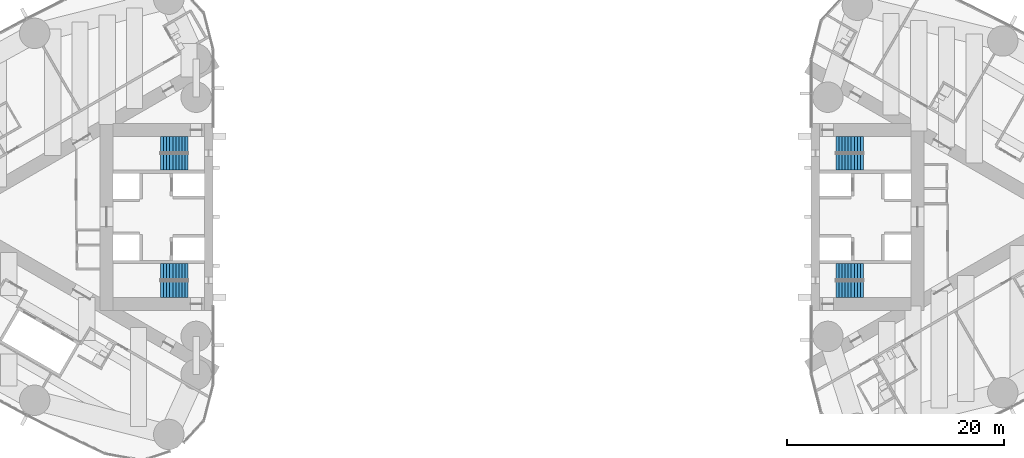
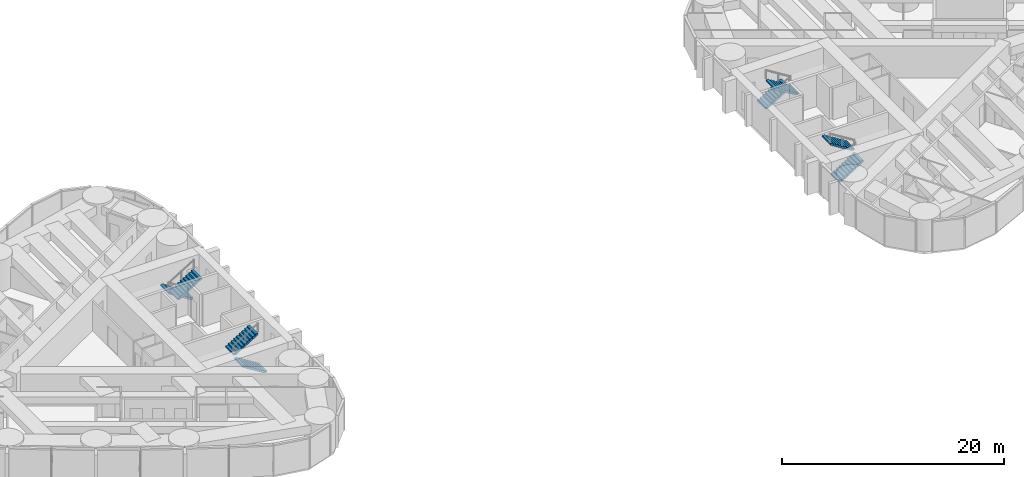
# One storey, part 17 of 19: 8 stair flights, 4 elements without a shape of their own.
"""IFC4 building model written with IfcOpenShell, lengths in metres."""

import ifcopenshell
import ifcopenshell.guid

model = None  # the IFC model being written
_history = None  # IfcOwnerHistory: only IFC2X3 demands one
_inside = {}  # id of a spatial element -> (the spatial element, [elements in it])
_under = {}  # id of a project, library or spatial element -> (it, [spatial elements below it])
_declared = {}  # id of a project -> (the project, [libraries it declares])
_typed = {}  # id of a type object -> (the type object, [elements of that type])
_made_of = {}  # id of a material, layer set ... -> (it, [elements and type objects made of it])


def new_model(schema):
    """Start an empty IFC model of exactly this schema.

    Asked for "IFC4X3", IfcOpenShell would pick the latest addendum, in which some entities
    have other attributes; the version numbers below select the first issue.
    IFC2X3 requires an IfcOwnerHistory on every rooted entity: one is made here for all.
    """
    global model, _history
    if schema == "IFC4X3":
        model = ifcopenshell.file(schema_version=(4, 3, 0, 0))
    else:
        model = ifcopenshell.file(schema=schema)
    _inside.clear()
    _under.clear()
    _declared.clear()
    _typed.clear()
    _made_of.clear()
    _history = None
    if model.schema == "IFC2X3":
        org = make("IfcOrganization", Name="unknown")
        user = make(
            "IfcPersonAndOrganization",
            ThePerson=make("IfcPerson", FamilyName="unknown"),
            TheOrganization=org,
        )
        app = make(
            "IfcApplication",
            ApplicationDeveloper=org,
            Version="unknown",
            ApplicationFullName="unknown",
            ApplicationIdentifier="unknown",
        )
        _history = make(
            "IfcOwnerHistory",
            OwningUser=user,
            OwningApplication=app,
            ChangeAction="ADDED",
            CreationDate=0,
        )
    return model


def make(cls, **values):
    """One entity of the class cls with the attributes given. An attribute that is None is left unset."""
    return model.create_entity(
        cls, **{name: value for name, value in values.items() if value is not None}
    )


def rooted(cls, **values):
    """An entity with a GlobalId (a new one), such as an element, a storey or a relation."""
    return make(cls, GlobalId=ifcopenshell.guid.new(), OwnerHistory=_history, **values)


def si_unit(unit_type, name, prefix=None):
    """IfcSIUnit, for example si_unit("LENGTHUNIT", "METRE", prefix="MILLI")."""
    return make("IfcSIUnit", UnitType=unit_type, Prefix=prefix, Name=name)


def assignment(units):
    """IfcUnitAssignment: the units of a project."""
    return None if units is None else make("IfcUnitAssignment", Units=units)


def point(xyz):
    """IfcCartesianPoint."""
    return None if xyz is None else make("IfcCartesianPoint", Coordinates=xyz)


def direction(xyz):
    """IfcDirection."""
    return None if xyz is None else make("IfcDirection", DirectionRatios=xyz)


def frame(location, z_axis=None, x_axis=None):
    """IfcAxis2Placement3D, a coordinate frame: its origin and axes. An axis left out is left unset."""
    return make(
        "IfcAxis2Placement3D",
        Location=point(location),
        Axis=direction(z_axis),
        RefDirection=direction(x_axis),
    )


def origin():
    """The frame at (0, 0, 0) with its axes left unset."""
    return frame((0.0, 0.0, 0.0))


def place(relative_to, where):
    """IfcLocalPlacement: puts the frame where relative to a parent placement (None: the world)."""
    return make(
        "IfcLocalPlacement", PlacementRelTo=relative_to, RelativePlacement=where
    )


def context(
    kind, dimensions, precision=None, world=None, true_north=None, identifier=None
):
    """IfcGeometricRepresentationContext, for example the 3D "Model" context."""
    return make(
        "IfcGeometricRepresentationContext",
        ContextIdentifier=identifier,
        ContextType=kind,
        CoordinateSpaceDimension=dimensions,
        Precision=precision,
        WorldCoordinateSystem=world,
        TrueNorth=true_north,
    )


def subcontext(parent, identifier, kind, view, scale=None):
    """IfcGeometricRepresentationSubContext, for example "Body" below "Model"."""
    return make(
        "IfcGeometricRepresentationSubContext",
        ContextIdentifier=identifier,
        ContextType=kind,
        ParentContext=parent,
        TargetScale=scale,
        TargetView=view,
    )


def project(units=None, contexts=None):
    """IfcProject with its units and contexts."""
    return rooted(
        "IfcProject",
        Name="project",
        RepresentationContexts=contexts,
        UnitsInContext=assignment(units),
    )


def spatial(cls, under=None, at=None, **own):
    """A site, building, storey or space (cls), placed at a placement, below another one or the project."""
    s = rooted(cls, ObjectPlacement=at, **own)
    if under is not None:
        _under.setdefault(under.id(), (under, []))[1].append(s)
    return s


def polyline(points):
    """IfcPolyline through the points."""
    return make("IfcPolyline", Points=[point(p) for p in points])


def outline(outer, holes=None, kind="AREA"):
    """IfcArbitraryClosedProfileDef: a profile drawn as a closed curve; with holes, ...WithVoids."""
    if holes is None:
        return make("IfcArbitraryClosedProfileDef", ProfileType=kind, OuterCurve=outer)
    return make(
        "IfcArbitraryProfileDefWithVoids",
        ProfileType=kind,
        OuterCurve=outer,
        InnerCurves=holes,
    )


def extrude(swept, where, along, depth):
    """IfcExtrudedAreaSolid: the profile swept, set in the frame where, extruded along a direction by depth."""
    return make(
        "IfcExtrudedAreaSolid",
        SweptArea=swept,
        Position=where,
        ExtrudedDirection=direction(along),
        Depth=depth,
    )


def shape(context_of_items, identifier, shape_type, items):
    """IfcShapeRepresentation: the items that make up one representation, for example the "Body"."""
    return make(
        "IfcShapeRepresentation",
        ContextOfItems=context_of_items,
        RepresentationIdentifier=identifier,
        RepresentationType=shape_type,
        Items=items,
    )


def material(Name=None, Category=None):
    """IfcMaterial."""
    return make("IfcMaterial", Name=Name, Category=Category)


def made_of(thing, what):
    """Note that an element or type object is made of a material, layer set ...; save() writes the relation."""
    if what is not None:
        _made_of.setdefault(what.id(), (what, []))[1].append(thing)
    return thing


def type_object(cls, material=None, **own):
    """A type object (cls), such as IfcWallType, which elements share."""
    return made_of(rooted(cls, **own), material)


def element(
    cls,
    number,
    at=None,
    inside=None,
    cuts=None,
    type_object=None,
    material=None,
    context=None,
    identifier="Body",
    shape_type=None,
    held_by="IfcProductDefinitionShape",
    body=None,
    shapes=None,
    **own,
):
    """One element of the class cls, such as IfcWall. Its Tag is "e" and its number.

    at: its placement. inside: the storey or other place that contains it. cuts: it is an
    opening in that element (IfcRelVoidsElement). A single representation is given by context,
    identifier, shape_type and body (its items); several are given by shapes. held_by: the class
    of the entity that holds the representations. save() writes the other relations.
    """
    e = rooted(cls, Tag="e%d" % number, ObjectPlacement=at, **own)
    if body is not None:
        shapes = [shape(context, identifier, shape_type, body)]
    if shapes is not None:
        e.Representation = make(held_by, Representations=shapes)
    if inside is not None:
        _inside.setdefault(inside.id(), (inside, []))[1].append(e)
    if cuts is not None:
        rooted(
            "IfcRelVoidsElement", RelatingBuildingElement=cuts, RelatedOpeningElement=e
        )
    if type_object is not None:
        _typed.setdefault(type_object.id(), (type_object, []))[1].append(e)
    return made_of(e, material)


def aggregate(whole, parts):
    """IfcRelAggregates: a whole, such as a stair, and the parts it consists of."""
    return rooted("IfcRelAggregates", RelatingObject=whole, RelatedObjects=parts)


def save(model, path):
    """Write the relations noted so far, then the file.

    IfcRelAggregates (storeys below a building ...), IfcRelContainedInSpatialStructure (elements
    in a storey), IfcRelDefinesByType, IfcRelAssociatesMaterial and IfcRelDeclares: one each for
    every whole, place, type object, material and project.
    """
    for whole, parts in _under.values():
        aggregate(whole, parts)
    for where, things in _inside.values():
        rooted(
            "IfcRelContainedInSpatialStructure",
            RelatedElements=things,
            RelatingStructure=where,
        )
    for kind, things in _typed.values():
        rooted("IfcRelDefinesByType", RelatedObjects=things, RelatingType=kind)
    for what, things in _made_of.values():
        rooted("IfcRelAssociatesMaterial", RelatedObjects=things, RelatingMaterial=what)
    for by, libraries in _declared.values():
        rooted("IfcRelDeclares", RelatingContext=by, RelatedDefinitions=libraries)
    model.write(path)


model = new_model("IFC4")

# Units and contexts
model_context = context("Model", 3, precision=1e-05, world=origin(), true_north=direction((0.0, 1.0)))
body_context = subcontext(model_context, "Body", "Model", "MODEL_VIEW")
ifc_project = project(units=[si_unit("LENGTHUNIT", "METRE"), si_unit("AREAUNIT", "SQUARE_METRE"), si_unit("VOLUMEUNIT", "CUBIC_METRE"), si_unit("PLANEANGLEUNIT", "RADIAN"), si_unit("MASSUNIT", "GRAM", prefix="KILO")], contexts=[model_context])

# Site, building, storey
site_placement = place(None, origin())
site = spatial("IfcSite", under=ifc_project, at=site_placement, CompositionType="ELEMENT")
building_placement = place(site_placement, origin())
building = spatial("IfcBuilding", under=site, at=building_placement, Name="Lancet Gate Hotel", CompositionType="ELEMENT")
storey_placement = place(building_placement, frame((0.0, 0.0, 170.300048828125)))
storey = spatial("IfcBuildingStorey", under=building, at=storey_placement, Name="L45", CompositionType="ELEMENT", Elevation=170.300048828125)

# Stair, stair flights
ifc_material_1 = material(Name="Exit stair 20 risers 1500")
stair_type = type_object("IfcStairType", Name="Exit stair 20 risers 1500", PredefinedType="HALF_TURN_STAIR", material=ifc_material_1)
stair_1_placement = place(storey_placement, origin())
stair_1 = element("IfcStair", 1, at=stair_1_placement, inside=storey, type_object=stair_type, Name="T1 stair 1 L45", PredefinedType="HALF_TURN_STAIR")
ifc_material_2 = material(Name="Stair flight 10 risers 175 rise 1500")
stair_flight_type = type_object("IfcStairFlightType", Name="Stair flight 10 risers 175 rise 1500", PredefinedType="STRAIGHT", material=ifc_material_2)
stair_flight_1_placement = place(storey_placement, frame((-29.800048828125, 6.64990234375, 0.0), z_axis=(0.0, 0.0, 1.0), x_axis=(-1.0, 0.0, 0.0)))
stair_flight_1 = element("IfcStairFlight", 2, at=stair_flight_1_placement, type_object=stair_flight_type, Name="ST1 flight 1", NumberOfRisers=10, NumberOfTreads=9, PredefinedType="STRAIGHT", RiserHeight=0.175, TreadLength=0.28, context=body_context, shape_type="SweptSolid", body=[
    extrude(outline(polyline([(0.0, 0.0), (0.0, 0.175048828125), (0.280029296875, 0.175048828125), (0.280029296875, 0.35009765625), (0.56005859375, 0.35009765625), (0.56005859375, 0.52490234375), (0.840087890625, 0.52490234375), (0.840087890625, 0.699951171875), (1.1201171875, 0.699951171875), (1.1201171875, 0.875), (1.39990234375, 0.875), (1.39990234375, 1.050048828125), (1.679931640625, 1.050048828125), (1.679931640625, 1.22509765625), (1.9599609375, 1.22509765625), (1.9599609375, 1.39990234375), (2.239990234375, 1.39990234375), (2.239990234375, 1.574951171875), (2.52001953125, 1.574951171875), (2.52001953125, 1.75), (2.52001953125, 1.398193359375), (0.28271484375, 0.0), (0.0, 0.0)])), frame((0.0, 0.75, 0.0), z_axis=(0.0, -1.0, 0.0), x_axis=(1.0, 0.0, 0.0)), (0.0, 0.0, 1.0), 1.5),
])
stair_flight_2_placement = place(storey_placement, frame((-32.320068359375, 5.050048828125, 1.75), z_axis=(0.0, 0.0, 1.0), x_axis=(1.0, 0.0, 0.0)))
stair_flight_2 = element("IfcStairFlight", 3, at=stair_flight_2_placement, type_object=stair_flight_type, Name="ST1 flight 2", NumberOfRisers=10, NumberOfTreads=9, PredefinedType="STRAIGHT", RiserHeight=0.175, TreadLength=0.28, context=body_context, shape_type="SweptSolid", body=[
    extrude(outline(polyline([(0.0, 0.0), (0.0, 0.175048828125), (0.280029296875, 0.175048828125), (0.280029296875, 0.35009765625), (0.56005859375, 0.35009765625), (0.56005859375, 0.52490234375), (0.840087890625, 0.52490234375), (0.840087890625, 0.699951171875), (1.1201171875, 0.699951171875), (1.1201171875, 0.875), (1.39990234375, 0.875), (1.39990234375, 1.050048828125), (1.679931640625, 1.050048828125), (1.679931640625, 1.22509765625), (1.9599609375, 1.22509765625), (1.9599609375, 1.39990234375), (2.239990234375, 1.39990234375), (2.239990234375, 1.574951171875), (2.52001953125, 1.574951171875), (2.52001953125, 1.75), (2.52001953125, 1.398193359375), (0.28271484375, 0.0), (0.0, 0.0)])), frame((0.0, 0.75, 0.0), z_axis=(0.0, -1.0, 0.0), x_axis=(1.0, 0.0, 0.0)), (0.0, 0.0, 1.0), 1.5),
])
aggregate(stair_1, [stair_flight_1, stair_flight_2])

stair_2_placement = place(storey_placement, origin())
stair_2 = element("IfcStair", 4, at=stair_2_placement, inside=storey, type_object=stair_type, Name="T1 stair 2 L45", PredefinedType="HALF_TURN_STAIR")
stair_flight_3_placement = place(storey_placement, frame((-29.800048828125, -6.64990234375, 0.0), z_axis=(0.0, 0.0, 1.0), x_axis=(-1.0, 0.0, 0.0)))
stair_flight_3 = element("IfcStairFlight", 5, at=stair_flight_3_placement, type_object=stair_flight_type, Name="ST2 flight 1", NumberOfRisers=10, NumberOfTreads=9, PredefinedType="STRAIGHT", RiserHeight=0.175, TreadLength=0.28, context=body_context, shape_type="SweptSolid", body=[
    extrude(outline(polyline([(0.0, 0.0), (0.0, 0.175048828125), (0.280029296875, 0.175048828125), (0.280029296875, 0.35009765625), (0.56005859375, 0.35009765625), (0.56005859375, 0.52490234375), (0.840087890625, 0.52490234375), (0.840087890625, 0.699951171875), (1.1201171875, 0.699951171875), (1.1201171875, 0.875), (1.39990234375, 0.875), (1.39990234375, 1.050048828125), (1.679931640625, 1.050048828125), (1.679931640625, 1.22509765625), (1.9599609375, 1.22509765625), (1.9599609375, 1.39990234375), (2.239990234375, 1.39990234375), (2.239990234375, 1.574951171875), (2.52001953125, 1.574951171875), (2.52001953125, 1.75), (2.52001953125, 1.398193359375), (0.28271484375, 0.0), (0.0, 0.0)])), frame((0.0, 0.75, 0.0), z_axis=(0.0, -1.0, 0.0), x_axis=(1.0, 0.0, 0.0)), (0.0, 0.0, 1.0), 1.5),
])
stair_flight_4_placement = place(storey_placement, frame((-32.320068359375, -5.050048828125, 1.75), z_axis=(0.0, 0.0, 1.0), x_axis=(1.0, 0.0, 0.0)))
stair_flight_4 = element("IfcStairFlight", 6, at=stair_flight_4_placement, type_object=stair_flight_type, Name="ST2 flight 2", NumberOfRisers=10, NumberOfTreads=9, PredefinedType="STRAIGHT", RiserHeight=0.175, TreadLength=0.28, context=body_context, shape_type="SweptSolid", body=[
    extrude(outline(polyline([(0.0, 0.0), (0.0, 0.175048828125), (0.280029296875, 0.175048828125), (0.280029296875, 0.35009765625), (0.56005859375, 0.35009765625), (0.56005859375, 0.52490234375), (0.840087890625, 0.52490234375), (0.840087890625, 0.699951171875), (1.1201171875, 0.699951171875), (1.1201171875, 0.875), (1.39990234375, 0.875), (1.39990234375, 1.050048828125), (1.679931640625, 1.050048828125), (1.679931640625, 1.22509765625), (1.9599609375, 1.22509765625), (1.9599609375, 1.39990234375), (2.239990234375, 1.39990234375), (2.239990234375, 1.574951171875), (2.52001953125, 1.574951171875), (2.52001953125, 1.75), (2.52001953125, 1.398193359375), (0.28271484375, 0.0), (0.0, 0.0)])), frame((0.0, 0.75, 0.0), z_axis=(0.0, -1.0, 0.0), x_axis=(1.0, 0.0, 0.0)), (0.0, 0.0, 1.0), 1.5),
])
aggregate(stair_2, [stair_flight_3, stair_flight_4])

stair_3_placement = place(storey_placement, origin())
stair_3 = element("IfcStair", 7, at=stair_3_placement, inside=storey, type_object=stair_type, Name="T2 stair 1 L45", PredefinedType="HALF_TURN_STAIR")
stair_flight_5_placement = place(storey_placement, frame((29.800048828125, -6.64990234375, 0.0), z_axis=(0.0, 0.0, 1.0), x_axis=(1.0, 0.0, 0.0)))
stair_flight_5 = element("IfcStairFlight", 8, at=stair_flight_5_placement, type_object=stair_flight_type, Name="ST3 flight 1", NumberOfRisers=10, NumberOfTreads=9, PredefinedType="STRAIGHT", RiserHeight=0.175, TreadLength=0.28, context=body_context, shape_type="SweptSolid", body=[
    extrude(outline(polyline([(0.0, 0.0), (0.0, 0.175048828125), (0.280029296875, 0.175048828125), (0.280029296875, 0.35009765625), (0.56005859375, 0.35009765625), (0.56005859375, 0.52490234375), (0.840087890625, 0.52490234375), (0.840087890625, 0.699951171875), (1.1201171875, 0.699951171875), (1.1201171875, 0.875), (1.39990234375, 0.875), (1.39990234375, 1.050048828125), (1.679931640625, 1.050048828125), (1.679931640625, 1.22509765625), (1.9599609375, 1.22509765625), (1.9599609375, 1.39990234375), (2.239990234375, 1.39990234375), (2.239990234375, 1.574951171875), (2.52001953125, 1.574951171875), (2.52001953125, 1.75), (2.52001953125, 1.398193359375), (0.28271484375, 0.0), (0.0, 0.0)])), frame((0.0, 0.75, 0.0), z_axis=(0.0, -1.0, 0.0), x_axis=(1.0, 0.0, 0.0)), (0.0, 0.0, 1.0), 1.5),
])
stair_flight_6_placement = place(storey_placement, frame((32.320068359375, -5.050048828125, 1.75), z_axis=(0.0, 0.0, 1.0), x_axis=(-1.0, 0.0, 0.0)))
stair_flight_6 = element("IfcStairFlight", 9, at=stair_flight_6_placement, type_object=stair_flight_type, Name="ST3 flight 2", NumberOfRisers=10, NumberOfTreads=9, PredefinedType="STRAIGHT", RiserHeight=0.175, TreadLength=0.28, context=body_context, shape_type="SweptSolid", body=[
    extrude(outline(polyline([(0.0, 0.0), (0.0, 0.175048828125), (0.280029296875, 0.175048828125), (0.280029296875, 0.35009765625), (0.56005859375, 0.35009765625), (0.56005859375, 0.52490234375), (0.840087890625, 0.52490234375), (0.840087890625, 0.699951171875), (1.1201171875, 0.699951171875), (1.1201171875, 0.875), (1.39990234375, 0.875), (1.39990234375, 1.050048828125), (1.679931640625, 1.050048828125), (1.679931640625, 1.22509765625), (1.9599609375, 1.22509765625), (1.9599609375, 1.39990234375), (2.239990234375, 1.39990234375), (2.239990234375, 1.574951171875), (2.52001953125, 1.574951171875), (2.52001953125, 1.75), (2.52001953125, 1.398193359375), (0.28271484375, 0.0), (0.0, 0.0)])), frame((0.0, 0.75, 0.0), z_axis=(0.0, -1.0, 0.0), x_axis=(1.0, 0.0, 0.0)), (0.0, 0.0, 1.0), 1.5),
])
aggregate(stair_3, [stair_flight_5, stair_flight_6])

stair_4_placement = place(storey_placement, origin())
stair_4 = element("IfcStair", 10, at=stair_4_placement, inside=storey, type_object=stair_type, Name="T2 stair 2 L45", PredefinedType="HALF_TURN_STAIR")
stair_flight_7_placement = place(storey_placement, frame((29.800048828125, 6.64990234375, 0.0), z_axis=(0.0, 0.0, 1.0), x_axis=(1.0, 0.0, 0.0)))
stair_flight_7 = element("IfcStairFlight", 11, at=stair_flight_7_placement, type_object=stair_flight_type, Name="ST4 flight 1", NumberOfRisers=10, NumberOfTreads=9, PredefinedType="STRAIGHT", RiserHeight=0.175, TreadLength=0.28, context=body_context, shape_type="SweptSolid", body=[
    extrude(outline(polyline([(0.0, 0.0), (0.0, 0.175048828125), (0.280029296875, 0.175048828125), (0.280029296875, 0.35009765625), (0.56005859375, 0.35009765625), (0.56005859375, 0.52490234375), (0.840087890625, 0.52490234375), (0.840087890625, 0.699951171875), (1.1201171875, 0.699951171875), (1.1201171875, 0.875), (1.39990234375, 0.875), (1.39990234375, 1.050048828125), (1.679931640625, 1.050048828125), (1.679931640625, 1.22509765625), (1.9599609375, 1.22509765625), (1.9599609375, 1.39990234375), (2.239990234375, 1.39990234375), (2.239990234375, 1.574951171875), (2.52001953125, 1.574951171875), (2.52001953125, 1.75), (2.52001953125, 1.398193359375), (0.28271484375, 0.0), (0.0, 0.0)])), frame((0.0, 0.75, 0.0), z_axis=(0.0, -1.0, 0.0), x_axis=(1.0, 0.0, 0.0)), (0.0, 0.0, 1.0), 1.5),
])
stair_flight_8_placement = place(storey_placement, frame((32.320068359375, 5.050048828125, 1.75), z_axis=(0.0, 0.0, 1.0), x_axis=(-1.0, 0.0, 0.0)))
stair_flight_8 = element("IfcStairFlight", 12, at=stair_flight_8_placement, type_object=stair_flight_type, Name="ST4 flight 2", NumberOfRisers=10, NumberOfTreads=9, PredefinedType="STRAIGHT", RiserHeight=0.175, TreadLength=0.28, context=body_context, shape_type="SweptSolid", body=[
    extrude(outline(polyline([(0.0, 0.0), (0.0, 0.175048828125), (0.280029296875, 0.175048828125), (0.280029296875, 0.35009765625), (0.56005859375, 0.35009765625), (0.56005859375, 0.52490234375), (0.840087890625, 0.52490234375), (0.840087890625, 0.699951171875), (1.1201171875, 0.699951171875), (1.1201171875, 0.875), (1.39990234375, 0.875), (1.39990234375, 1.050048828125), (1.679931640625, 1.050048828125), (1.679931640625, 1.22509765625), (1.9599609375, 1.22509765625), (1.9599609375, 1.39990234375), (2.239990234375, 1.39990234375), (2.239990234375, 1.574951171875), (2.52001953125, 1.574951171875), (2.52001953125, 1.75), (2.52001953125, 1.398193359375), (0.28271484375, 0.0), (0.0, 0.0)])), frame((0.0, 0.75, 0.0), z_axis=(0.0, -1.0, 0.0), x_axis=(1.0, 0.0, 0.0)), (0.0, 0.0, 1.0), 1.5),
])
aggregate(stair_4, [stair_flight_7, stair_flight_8])

save(model, "model.ifc")
